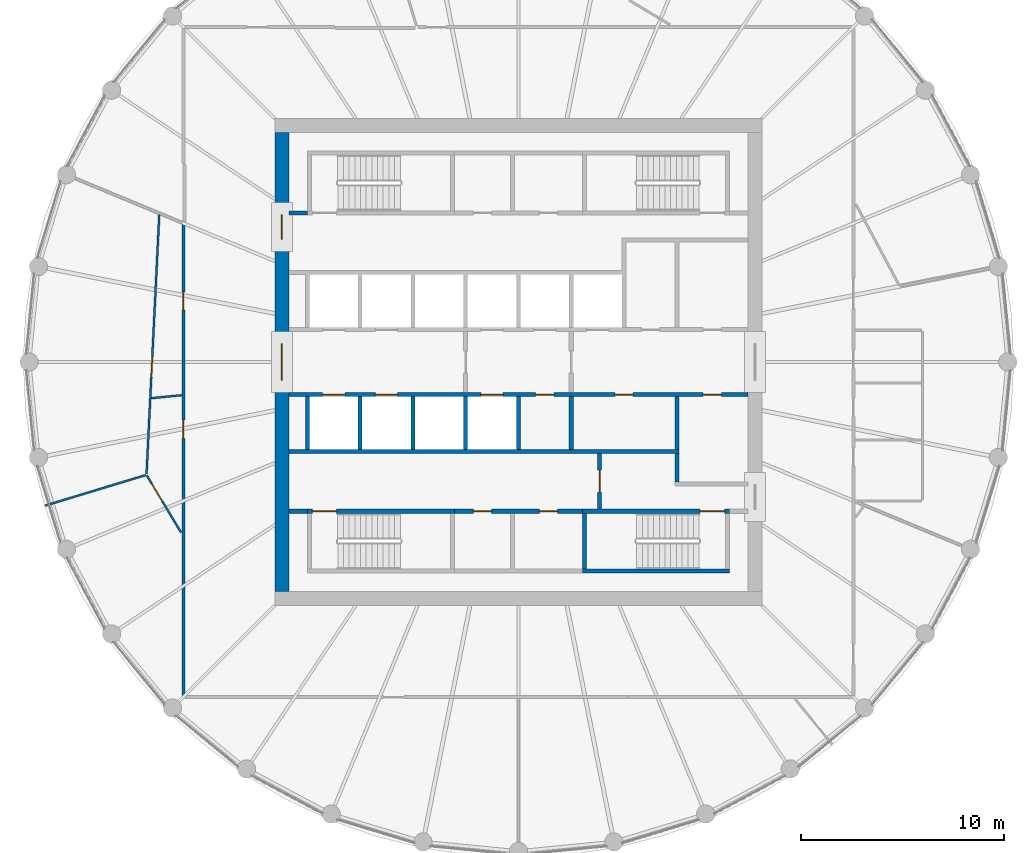
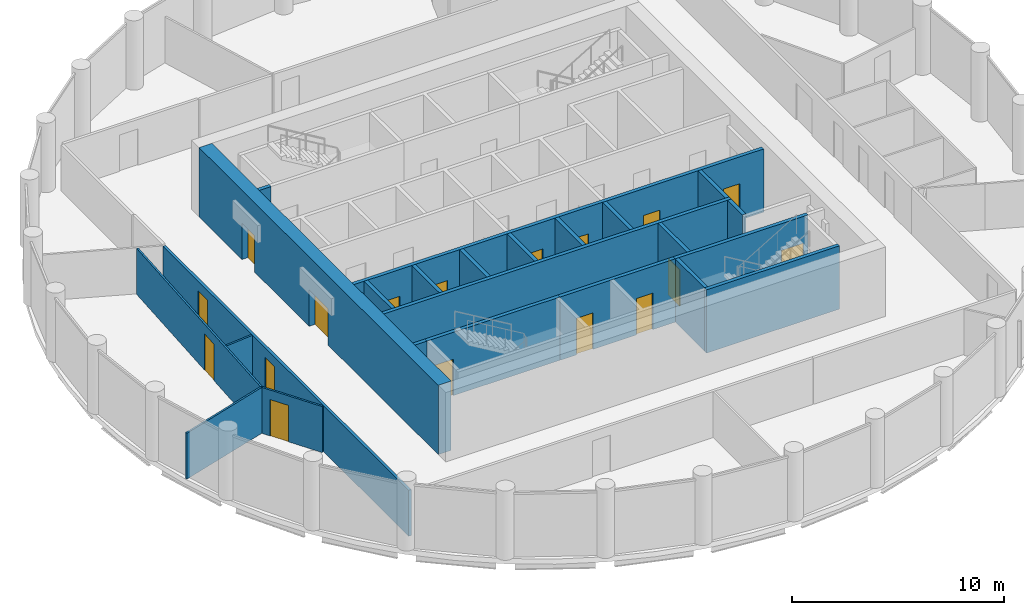
# One storey, part 4 of 7: 24 walls, 17 doors, 17 openings.
"""IFC4 building model written with IfcOpenShell, lengths in metres."""

from ifc_helpers import new_model, si_unit, direction, frame, frame_2d, origin, place, context, subcontext, project, spatial, polyline, rectangle, outline, extrude, material, layer, layer_set, type_object, element, fill, save


model = new_model("IFC4")

# Units and contexts
model_context = context("Model", 3, precision=1e-05, world=origin(), true_north=direction((0.0, 1.0)))
body_context = subcontext(model_context, "Body", "Model", "MODEL_VIEW")
ifc_project = project(units=[si_unit("LENGTHUNIT", "METRE"), si_unit("AREAUNIT", "SQUARE_METRE"), si_unit("VOLUMEUNIT", "CUBIC_METRE"), si_unit("PLANEANGLEUNIT", "RADIAN"), si_unit("MASSUNIT", "GRAM", prefix="KILO")], contexts=[model_context])

# Site, building, storey
site_placement = place(None, origin())
site = spatial("IfcSite", under=ifc_project, at=site_placement, CompositionType="ELEMENT")
building_placement = place(site_placement, origin())
building = spatial("IfcBuilding", under=site, at=building_placement, Name="Corvane Civic Tower", CompositionType="ELEMENT")
storey_placement = place(building_placement, frame((0.0, 0.0, 315.0)))
storey = spatial("IfcBuildingStorey", under=building, at=storey_placement, Name="L75", CompositionType="ELEMENT", Elevation=315.0)

# Wall, openings, doors
ifc_material_1 = material(Name="Concrete C40/50", Category="concrete")
ifc_layer_1 = layer(ifc_material_1, 0.699951171875)
ifc_layer_set_1 = layer_set([ifc_layer_1], Name="Concrete C40/50")
wall_type_1 = type_object("IfcWallType", Name="CORE WALL 700 C40/50", PredefinedType="SHEAR", material=ifc_layer_set_1)
wall_1_placement = place(storey_placement, frame((-11.64990234375, -11.300048828125, 0.0), z_axis=(0.0, 0.0, 1.0), x_axis=(0.0, 1.0, 0.0)))
wall_1 = element("IfcWall", 1, at=wall_1_placement, inside=storey, type_object=wall_type_1, Name="W-L75-core-W", PredefinedType="SHEAR", context=body_context, shape_type="SweptSolid", body=[
    extrude(rectangle(XDim=22.60009765625, YDim=0.699951171875, at=frame_2d((11.300048828125, 0.0))), origin(), (0.0, 0.0, 1.0), 4.0),
])
opening_1_placement = place(wall_1_placement, frame((10.39990234375, 0.0, 0.0)))
opening_1 = element("IfcOpeningElement", 2, at=opening_1_placement, cuts=wall_1, Name="Opening L75.C17", PredefinedType="OPENING", context=body_context, shape_type="SweptSolid", body=[
    extrude(rectangle(XDim=1.800048828125, YDim=2.10009765625, at=frame_2d((0.89990234375, 1.050048828125))), frame((0.0, 0.35986328125, 0.0), z_axis=(0.0, -1.0, 0.0), x_axis=(1.0, 0.0, 0.0)), (0.0, 0.0, 1.0), 0.719970703125),
])
opening_2_placement = place(wall_1_placement, frame((17.35009765625, 0.0, 0.0)))
opening_2 = element("IfcOpeningElement", 3, at=opening_2_placement, cuts=wall_1, Name="Opening L75.C19", PredefinedType="OPENING", context=body_context, shape_type="SweptSolid", body=[
    extrude(rectangle(XDim=1.199951171875, YDim=2.10009765625, at=frame_2d((0.60009765625, 1.050048828125))), frame((0.0, 0.35986328125, 0.0), z_axis=(0.0, -1.0, 0.0), x_axis=(1.0, 0.0, 0.0)), (0.0, 0.0, 1.0), 0.719970703125),
])
ifc_material_2 = material(Name="Steel fire door leaf", Category="steel")
door_type_1 = type_object("IfcDoorType", Name="CR-DOOR-CORE-1800", OperationType="DOUBLE_DOOR_SINGLE_SWING", PredefinedType="DOOR", material=ifc_material_2)
door_1_placement = place(opening_1_placement, origin())
door_1 = element("IfcDoor", 4, at=door_1_placement, inside=storey, type_object=door_type_1, Name="L75 door", OperationType="DOUBLE_DOOR_SINGLE_SWING", OverallHeight=2.10009765625, OverallWidth=1.800048828125, PredefinedType="DOOR", context=body_context, shape_type="SweptSolid", body=[
    extrude(rectangle(XDim=1.800048828125, YDim=2.10009765625, at=frame_2d((0.89990234375, 1.050048828125))), frame((0.0, 0.02490234375, 0.0), z_axis=(0.0, -1.0, 0.0), x_axis=(1.0, 0.0, 0.0)), (0.0, 0.0, 1.0), 0.050048828125),
])
fill(opening_1, door_1)
door_2_placement = place(opening_2_placement, origin())
door_2 = element("IfcDoor", 5, at=door_2_placement, inside=storey, type_object=door_type_1, Name="L75 door", OperationType="DOUBLE_DOOR_SINGLE_SWING", OverallHeight=2.10009765625, OverallWidth=1.199951171875, PredefinedType="DOOR", context=body_context, shape_type="SweptSolid", body=[
    extrude(rectangle(XDim=1.199951171875, YDim=2.10009765625, at=frame_2d((0.60009765625, 1.050048828125))), frame((0.0, 0.02490234375, 0.0), z_axis=(0.0, -1.0, 0.0), x_axis=(1.0, 0.0, 0.0)), (0.0, 0.0, 1.0), 0.050048828125),
])
fill(opening_2, door_2)

ifc_material_3 = material(Name="Concrete C30/37", Category="concrete")
ifc_layer_2 = layer(ifc_material_3, 0.199951171875)
ifc_layer_set_2 = layer_set([ifc_layer_2], Name="Concrete C30/37")
wall_type_2 = type_object("IfcWallType", Name="CR-WALL-200", PredefinedType="PARTITIONING", material=ifc_layer_set_2)
wall_2_placement = place(storey_placement, frame((-3.14990234375, -7.35009765625, 0.0), z_axis=(0.0, 0.0, 1.0), x_axis=(1.0, 0.0, 0.0)))
wall_2 = element("IfcWall", 6, at=wall_2_placement, inside=storey, type_object=wall_type_2, Name="L75 core partition wall", PredefinedType="PARTITIONING", context=body_context, shape_type="SweptSolid", body=[
    extrude(rectangle(XDim=6.2998046875, YDim=0.199951171875, at=frame_2d((3.14990234375, 0.0))), origin(), (0.0, 0.0, 1.0), 3.64990234375),
])
opening_3_placement = place(wall_2_placement, frame((0.925048828125, 0.0, 0.0)))
opening_3 = element("IfcOpeningElement", 7, at=opening_3_placement, cuts=wall_2, Name="Opening L75.C08", PredefinedType="OPENING", context=body_context, shape_type="SweptSolid", body=[
    extrude(rectangle(XDim=0.89990234375, YDim=2.10009765625, at=frame_2d((0.449951171875, 1.050048828125))), frame((0.0, 0.10986328125, 0.0), z_axis=(0.0, -1.0, 0.0), x_axis=(1.0, 0.0, 0.0)), (0.0, 0.0, 1.0), 0.219970703125),
])
opening_4_placement = place(wall_2_placement, frame((4.175048828125, 0.0, 0.0)))
opening_4 = element("IfcOpeningElement", 8, at=opening_4_placement, cuts=wall_2, Name="Opening L75.C09", PredefinedType="OPENING", context=body_context, shape_type="SweptSolid", body=[
    extrude(rectangle(XDim=0.89990234375, YDim=2.10009765625, at=frame_2d((0.449951171875, 1.050048828125))), frame((0.0, 0.10986328125, 0.0), z_axis=(0.0, -1.0, 0.0), x_axis=(1.0, 0.0, 0.0)), (0.0, 0.0, 1.0), 0.219970703125),
])
ifc_material_4 = material(Name="Steel fire door leaf", Category="steel")
door_type_2 = type_object("IfcDoorType", Name="CR-DOOR-900", OperationType="SINGLE_SWING_LEFT", PredefinedType="DOOR", material=ifc_material_4)
door_3_placement = place(opening_3_placement, origin())
door_3 = element("IfcDoor", 9, at=door_3_placement, inside=storey, type_object=door_type_2, Name="L75 door", OperationType="SINGLE_SWING_LEFT", OverallHeight=2.10009765625, OverallWidth=0.89990234375, PredefinedType="DOOR", context=body_context, shape_type="SweptSolid", body=[
    extrude(rectangle(XDim=0.89990234375, YDim=2.10009765625, at=frame_2d((0.449951171875, 1.050048828125))), frame((0.0, 0.02490234375, 0.0), z_axis=(0.0, -1.0, 0.0), x_axis=(1.0, 0.0, 0.0)), (0.0, 0.0, 1.0), 0.050048828125),
])
fill(opening_3, door_3)
door_4_placement = place(opening_4_placement, origin())
door_4 = element("IfcDoor", 10, at=door_4_placement, inside=storey, type_object=door_type_2, Name="L75 door", OperationType="SINGLE_SWING_LEFT", OverallHeight=2.10009765625, OverallWidth=0.89990234375, PredefinedType="DOOR", context=body_context, shape_type="SweptSolid", body=[
    extrude(rectangle(XDim=0.89990234375, YDim=2.10009765625, at=frame_2d((0.449951171875, 1.050048828125))), frame((0.0, 0.02490234375, 0.0), z_axis=(0.0, -1.0, 0.0), x_axis=(1.0, 0.0, 0.0)), (0.0, 0.0, 1.0), 0.050048828125),
])
fill(opening_4, door_4)

wall_3_placement = place(storey_placement, frame((-11.300048828125, -1.60009765625, 0.0), z_axis=(0.0, 0.0, 1.0), x_axis=(1.0, 0.0, 0.0)))
wall_3 = element("IfcWall", 11, at=wall_3_placement, inside=storey, type_object=wall_type_2, Name="L75 lift shaft wall", PredefinedType="PARTITIONING", context=body_context, shape_type="SweptSolid", body=[
    extrude(rectangle(XDim=22.60009765625, YDim=0.199951171875, at=frame_2d((11.300048828125, 0.0))), origin(), (0.0, 0.0, 1.0), 3.64990234375),
])
opening_5_placement = place(wall_3_placement, frame((1.64990234375, 0.0, 0.0)))
opening_5 = element("IfcOpeningElement", 12, at=opening_5_placement, cuts=wall_3, Name="Opening LD", PredefinedType="OPENING", context=body_context, shape_type="SweptSolid", body=[
    extrude(rectangle(XDim=1.10009765625, YDim=2.10009765625, at=frame_2d((0.550048828125, 1.050048828125))), frame((0.0, 0.10986328125, 0.0), z_axis=(0.0, -1.0, 0.0), x_axis=(1.0, 0.0, 0.0)), (0.0, 0.0, 1.0), 0.219970703125),
])
opening_6_placement = place(wall_3_placement, frame((4.25, 0.0, 0.0)))
opening_6 = element("IfcOpeningElement", 13, at=opening_6_placement, cuts=wall_3, Name="Opening LD", PredefinedType="OPENING", context=body_context, shape_type="SweptSolid", body=[
    extrude(rectangle(XDim=1.10009765625, YDim=2.10009765625, at=frame_2d((0.550048828125, 1.050048828125))), frame((0.0, 0.10986328125, 0.0), z_axis=(0.0, -1.0, 0.0), x_axis=(1.0, 0.0, 0.0)), (0.0, 0.0, 1.0), 0.219970703125),
])
opening_7_placement = place(wall_3_placement, frame((9.449951171875, 0.0, 0.0)))
opening_7 = element("IfcOpeningElement", 14, at=opening_7_placement, cuts=wall_3, Name="Opening LD", PredefinedType="OPENING", context=body_context, shape_type="SweptSolid", body=[
    extrude(rectangle(XDim=1.10009765625, YDim=2.10009765625, at=frame_2d((0.550048828125, 1.050048828125))), frame((0.0, 0.10986328125, 0.0), z_axis=(0.0, -1.0, 0.0), x_axis=(1.0, 0.0, 0.0)), (0.0, 0.0, 1.0), 0.219970703125),
])
opening_8_placement = place(wall_3_placement, frame((12.14990234375, 0.0, 0.0)))
opening_8 = element("IfcOpeningElement", 15, at=opening_8_placement, cuts=wall_3, Name="Opening L75.C03", PredefinedType="OPENING", context=body_context, shape_type="SweptSolid", body=[
    extrude(rectangle(XDim=0.89990234375, YDim=2.10009765625, at=frame_2d((0.449951171875, 1.050048828125))), frame((0.0, 0.10986328125, 0.0), z_axis=(0.0, -1.0, 0.0), x_axis=(1.0, 0.0, 0.0)), (0.0, 0.0, 1.0), 0.219970703125),
])
opening_9_placement = place(wall_3_placement, frame((16.050048828125, 0.0, 0.0)))
opening_9 = element("IfcOpeningElement", 16, at=opening_9_placement, cuts=wall_3, Name="Opening L75.C04", PredefinedType="OPENING", context=body_context, shape_type="SweptSolid", body=[
    extrude(rectangle(XDim=0.89990234375, YDim=2.10009765625, at=frame_2d((0.449951171875, 1.050048828125))), frame((0.0, 0.10986328125, 0.0), z_axis=(0.0, -1.0, 0.0), x_axis=(1.0, 0.0, 0.0)), (0.0, 0.0, 1.0), 0.219970703125),
])
opening_10_placement = place(wall_3_placement, frame((20.39990234375, 0.0, 0.0)))
opening_10 = element("IfcOpeningElement", 17, at=opening_10_placement, cuts=wall_3, Name="Opening L75.C05", PredefinedType="OPENING", context=body_context, shape_type="SweptSolid", body=[
    extrude(rectangle(XDim=0.89990234375, YDim=2.10009765625, at=frame_2d((0.449951171875, 1.050048828125))), frame((0.0, 0.10986328125, 0.0), z_axis=(0.0, -1.0, 0.0), x_axis=(1.0, 0.0, 0.0)), (0.0, 0.0, 1.0), 0.219970703125),
])
door_5_placement = place(opening_8_placement, origin())
door_5 = element("IfcDoor", 18, at=door_5_placement, inside=storey, type_object=door_type_2, Name="L75 door", OperationType="SINGLE_SWING_LEFT", OverallHeight=2.10009765625, OverallWidth=0.89990234375, PredefinedType="DOOR", context=body_context, shape_type="SweptSolid", body=[
    extrude(rectangle(XDim=0.89990234375, YDim=2.10009765625, at=frame_2d((0.449951171875, 1.050048828125))), frame((0.0, 0.02490234375, 0.0), z_axis=(0.0, -1.0, 0.0), x_axis=(1.0, 0.0, 0.0)), (0.0, 0.0, 1.0), 0.050048828125),
])
fill(opening_8, door_5)
door_6_placement = place(opening_9_placement, origin())
door_6 = element("IfcDoor", 19, at=door_6_placement, inside=storey, type_object=door_type_2, Name="L75 door", OperationType="SINGLE_SWING_LEFT", OverallHeight=2.10009765625, OverallWidth=0.89990234375, PredefinedType="DOOR", context=body_context, shape_type="SweptSolid", body=[
    extrude(rectangle(XDim=0.89990234375, YDim=2.10009765625, at=frame_2d((0.449951171875, 1.050048828125))), frame((0.0, 0.02490234375, 0.0), z_axis=(0.0, -1.0, 0.0), x_axis=(1.0, 0.0, 0.0)), (0.0, 0.0, 1.0), 0.050048828125),
])
fill(opening_9, door_6)
door_7_placement = place(opening_10_placement, origin())
door_7 = element("IfcDoor", 20, at=door_7_placement, inside=storey, type_object=door_type_2, Name="L75 door", OperationType="SINGLE_SWING_LEFT", OverallHeight=2.10009765625, OverallWidth=0.89990234375, PredefinedType="DOOR", context=body_context, shape_type="SweptSolid", body=[
    extrude(rectangle(XDim=0.89990234375, YDim=2.10009765625, at=frame_2d((0.449951171875, 1.050048828125))), frame((0.0, 0.02490234375, 0.0), z_axis=(0.0, -1.0, 0.0), x_axis=(1.0, 0.0, 0.0)), (0.0, 0.0, 1.0), 0.050048828125),
])
fill(opening_10, door_7)
ifc_material_5 = material(Name="Stainless steel 316 door leaves", Category="steel")
door_type_3 = type_object("IfcDoorType", Name="LD", OperationType="DOUBLE_DOOR_SLIDING", PredefinedType="DOOR", material=ifc_material_5)
door_8_placement = place(opening_5_placement, origin())
door_8 = element("IfcDoor", 21, at=door_8_placement, inside=storey, type_object=door_type_3, Name="L75 landing door", OperationType="DOUBLE_DOOR_SLIDING", OverallHeight=2.10009765625, OverallWidth=1.10009765625, PredefinedType="DOOR", context=body_context, shape_type="SweptSolid", body=[
    extrude(rectangle(XDim=1.10009765625, YDim=2.10009765625, at=frame_2d((0.550048828125, 1.050048828125))), frame((0.0, 0.02490234375, 0.0), z_axis=(0.0, -1.0, 0.0), x_axis=(1.0, 0.0, 0.0)), (0.0, 0.0, 1.0), 0.050048828125),
])
fill(opening_5, door_8)
door_9_placement = place(opening_6_placement, origin())
door_9 = element("IfcDoor", 22, at=door_9_placement, inside=storey, type_object=door_type_3, Name="L75 landing door", OperationType="DOUBLE_DOOR_SLIDING", OverallHeight=2.10009765625, OverallWidth=1.10009765625, PredefinedType="DOOR", context=body_context, shape_type="SweptSolid", body=[
    extrude(rectangle(XDim=1.10009765625, YDim=2.10009765625, at=frame_2d((0.550048828125, 1.050048828125))), frame((0.0, 0.02490234375, 0.0), z_axis=(0.0, -1.0, 0.0), x_axis=(1.0, 0.0, 0.0)), (0.0, 0.0, 1.0), 0.050048828125),
])
fill(opening_6, door_9)
door_10_placement = place(opening_7_placement, origin())
door_10 = element("IfcDoor", 23, at=door_10_placement, inside=storey, type_object=door_type_3, Name="L75 landing door", OperationType="DOUBLE_DOOR_SLIDING", OverallHeight=2.10009765625, OverallWidth=1.10009765625, PredefinedType="DOOR", context=body_context, shape_type="SweptSolid", body=[
    extrude(rectangle(XDim=1.10009765625, YDim=2.10009765625, at=frame_2d((0.550048828125, 1.050048828125))), frame((0.0, 0.02490234375, 0.0), z_axis=(0.0, -1.0, 0.0), x_axis=(1.0, 0.0, 0.0)), (0.0, 0.0, 1.0), 0.050048828125),
])
fill(opening_7, door_10)

# Wall, opening, door
wall_4_placement = place(storey_placement, frame((4.0, -7.25, 0.0), z_axis=(0.0, 0.0, 1.0), x_axis=(0.0, 1.0, 0.0)))
wall_4 = element("IfcWall", 24, at=wall_4_placement, inside=storey, type_object=wall_type_2, Name="L75 core partition wall", PredefinedType="PARTITIONING", context=body_context, shape_type="SweptSolid", body=[
    extrude(rectangle(XDim=2.75, YDim=0.199951171875, at=frame_2d((1.375, 0.0))), origin(), (0.0, 0.0, 1.0), 3.64990234375),
])
opening_11_placement = place(wall_4_placement, frame((0.824951171875, 0.0, 0.0)))
opening_11 = element("IfcOpeningElement", 25, at=opening_11_placement, cuts=wall_4, Name="Opening L75.C16", PredefinedType="OPENING", context=body_context, shape_type="SweptSolid", body=[
    extrude(rectangle(XDim=1.10009765625, YDim=2.10009765625, at=frame_2d((0.550048828125, 1.050048828125))), frame((0.0, 0.10986328125, 0.0), z_axis=(0.0, -1.0, 0.0), x_axis=(1.0, 0.0, 0.0)), (0.0, 0.0, 1.0), 0.219970703125),
])
ifc_material_6 = material(Name="Steel fire door leaf", Category="steel")
door_type_4 = type_object("IfcDoorType", Name="CR-DOOR-FFL-1100", OperationType="SINGLE_SWING_LEFT", PredefinedType="DOOR", material=ifc_material_6)
door_11_placement = place(opening_11_placement, origin())
door_11 = element("IfcDoor", 26, at=door_11_placement, inside=storey, type_object=door_type_4, Name="L75 lobby door", OperationType="SINGLE_SWING_LEFT", OverallHeight=2.10009765625, OverallWidth=1.10009765625, PredefinedType="DOOR", context=body_context, shape_type="SweptSolid", body=[
    extrude(rectangle(XDim=1.10009765625, YDim=2.10009765625, at=frame_2d((0.550048828125, 1.050048828125))), frame((0.0, 0.02490234375, 0.0), z_axis=(0.0, -1.0, 0.0), x_axis=(1.0, 0.0, 0.0)), (0.0, 0.0, 1.0), 0.050048828125),
])
fill(opening_11, door_11)

# Walls
wall_5_placement = place(storey_placement, origin())
element("IfcWall", 27, at=wall_5_placement, inside=storey, type_object=wall_type_2, Name="L75 core partition wall", PredefinedType="PARTITIONING", context=body_context, shape_type="SweptSolid", body=[
    extrude(outline(polyline([(7.89990234375, -4.300048828125), (7.89990234375, -4.5), (-11.300048828125, -4.5), (-11.300048828125, -4.300048828125), (7.89990234375, -4.300048828125)])), origin(), (0.0, 0.0, 1.0), 3.64990234375),
])
wall_6_placement = place(storey_placement, origin())
element("IfcWall", 28, at=wall_6_placement, inside=storey, type_object=wall_type_2, Name="L75 core partition wall", PredefinedType="PARTITIONING", context=body_context, shape_type="SweptSolid", body=[
    extrude(outline(polyline([(-2.5, -1.699951171875), (-2.5, -4.2998046875), (-2.699951171875, -4.2998046875), (-2.699951171875, -1.699951171875), (-2.5, -1.699951171875)])), origin(), (0.0, 0.0, 1.0), 3.64990234375),
])
wall_7_placement = place(storey_placement, origin())
element("IfcWall", 29, at=wall_7_placement, inside=storey, type_object=wall_type_2, Name="L75 core partition wall", PredefinedType="PARTITIONING", context=body_context, shape_type="SweptSolid", body=[
    extrude(outline(polyline([(2.699951171875, -1.699951171875), (2.699951171875, -4.2998046875), (2.5, -4.2998046875), (2.5, -1.699951171875), (2.699951171875, -1.699951171875)])), origin(), (0.0, 0.0, 1.0), 3.64990234375),
])
wall_8_placement = place(storey_placement, origin())
element("IfcWall", 30, at=wall_8_placement, inside=storey, type_object=wall_type_2, Name="L75 core partition wall", PredefinedType="PARTITIONING", context=body_context, shape_type="SweptSolid", body=[
    extrude(outline(polyline([(0.10009765625, -1.699951171875), (0.10009765625, -4.2998046875), (-0.10009765625, -4.2998046875), (-0.10009765625, -1.699951171875), (0.10009765625, -1.699951171875)])), origin(), (0.0, 0.0, 1.0), 3.64990234375),
])
wall_9_placement = place(storey_placement, origin())
element("IfcWall", 31, at=wall_9_placement, inside=storey, type_object=wall_type_2, Name="L75 core partition wall", PredefinedType="PARTITIONING", context=body_context, shape_type="SweptSolid", body=[
    extrude(outline(polyline([(-10.300048828125, -1.699951171875), (-10.300048828125, -4.2998046875), (-10.5, -4.2998046875), (-10.5, -1.699951171875), (-10.300048828125, -1.699951171875)])), origin(), (0.0, 0.0, 1.0), 3.64990234375),
])
wall_10_placement = place(storey_placement, origin())
element("IfcWall", 32, at=wall_10_placement, inside=storey, type_object=wall_type_2, Name="L75 core partition wall", PredefinedType="PARTITIONING", context=body_context, shape_type="SweptSolid", body=[
    extrude(outline(polyline([(-7.699951171875, -1.699951171875), (-7.699951171875, -4.2998046875), (-7.89990234375, -4.2998046875), (-7.89990234375, -1.699951171875), (-7.699951171875, -1.699951171875)])), origin(), (0.0, 0.0, 1.0), 3.64990234375),
])
wall_11_placement = place(storey_placement, origin())
element("IfcWall", 33, at=wall_11_placement, inside=storey, type_object=wall_type_2, Name="L75 core partition wall", PredefinedType="PARTITIONING", context=body_context, shape_type="SweptSolid", body=[
    extrude(outline(polyline([(-5.10009765625, -1.699951171875), (-5.10009765625, -4.2998046875), (-5.300048828125, -4.2998046875), (-5.300048828125, -1.699951171875), (-5.10009765625, -1.699951171875)])), origin(), (0.0, 0.0, 1.0), 3.64990234375),
])
wall_12_placement = place(storey_placement, origin())
element("IfcWall", 34, at=wall_12_placement, inside=storey, type_object=wall_type_2, Name="L75 core partition wall", PredefinedType="PARTITIONING", context=body_context, shape_type="SweptSolid", body=[
    extrude(outline(polyline([(7.89990234375, -1.699951171875), (7.89990234375, -4.2998046875), (7.699951171875, -4.2998046875), (7.699951171875, -1.699951171875), (7.89990234375, -1.699951171875)])), origin(), (0.0, 0.0, 1.0), 3.64990234375),
])
wall_13_placement = place(storey_placement, origin())
element("IfcWall", 35, at=wall_13_placement, inside=storey, type_object=wall_type_2, Name="L75 core partition wall", PredefinedType="PARTITIONING", context=body_context, shape_type="SweptSolid", body=[
    extrude(outline(polyline([(7.89990234375, -5.89990234375), (7.699951171875, -5.89990234375), (7.699951171875, -4.5), (7.89990234375, -4.5), (7.89990234375, -5.89990234375)])), origin(), (0.0, 0.0, 1.0), 3.64990234375),
])
wall_14_placement = place(storey_placement, origin())
element("IfcWall", 36, at=wall_14_placement, inside=storey, type_object=wall_type_2, Name="L75 core partition wall", PredefinedType="PARTITIONING", context=body_context, shape_type="SweptSolid", body=[
    extrude(outline(polyline([(-10.39990234375, -7.449951171875), (-11.300048828125, -7.449951171875), (-11.300048828125, -7.25), (-10.39990234375, -7.25), (-10.39990234375, -7.449951171875)])), origin(), (0.0, 0.0, 1.0), 3.64990234375),
])
wall_15_placement = place(storey_placement, origin())
element("IfcWall", 37, at=wall_15_placement, inside=storey, type_object=wall_type_2, Name="L75 core partition wall", PredefinedType="PARTITIONING", context=body_context, shape_type="SweptSolid", body=[
    extrude(outline(polyline([(-10.39990234375, 7.25), (-11.300048828125, 7.25), (-11.300048828125, 7.449951171875), (-10.39990234375, 7.449951171875), (-10.39990234375, 7.25)])), origin(), (0.0, 0.0, 1.0), 3.64990234375),
])

# Wall, opening, door
ifc_material_7 = material(Name="Plasterboard")
ifc_layer_3 = layer(ifc_material_7, 0.10009765625)
ifc_layer_set_3 = layer_set([ifc_layer_3], Name="Plasterboard")
wall_type_3 = type_object("IfcWallType", Name="Partition 100 plasterboard on studs", PredefinedType="PARTITIONING", material=ifc_layer_set_3)
wall_16_placement = place(storey_placement, frame((-18.299560546875, -5.5908203125, 0.0), z_axis=(0.0, 0.0, 1.0), x_axis=(0.514100563047, -0.857729917325, 0.0)))
wall_16 = element("IfcWall", 38, at=wall_16_placement, inside=storey, type_object=wall_type_3, Name="Partition L75.008", PredefinedType="PARTITIONING", context=body_context, shape_type="SweptSolid", body=[
    extrude(rectangle(XDim=3.27099609375, YDim=0.10009765625, at=frame_2d((1.635498046875, 0.0))), origin(), (0.0, 0.0, 1.0), 2.64990234375),
])
opening_12_placement = place(wall_16_placement, frame((0.454833984375, 0.0, 0.0)))
opening_12 = element("IfcOpeningElement", 39, at=opening_12_placement, cuts=wall_16, Name="Opening L75.004", PredefinedType="OPENING", context=body_context, shape_type="SweptSolid", body=[
    extrude(rectangle(XDim=1.0, YDim=2.10009765625, at=frame_2d((0.5, 1.050048828125))), frame((0.0, 0.06005859375, 0.0), z_axis=(0.0, -1.0, 0.0), x_axis=(1.0, 0.0, 0.0)), (0.0, 0.0, 1.0), 0.1201171875),
])
ifc_material_8 = material(Name="Timber", Category="wood")
door_type_5 = type_object("IfcDoorType", Name="Single door 1000", OperationType="NOTDEFINED", PredefinedType="DOOR", material=ifc_material_8)
door_12_placement = place(opening_12_placement, frame((1.0, 0.0, 0.0), z_axis=(0.0, 0.0, 1.0), x_axis=(-1.0, 0.0, 0.0)))
door_12 = element("IfcDoor", 40, at=door_12_placement, inside=storey, type_object=door_type_5, Name="Door L75.004", OperationType="SINGLE_SWING_LEFT", OverallHeight=2.10009765625, OverallWidth=1.0, PredefinedType="DOOR", context=body_context, shape_type="SweptSolid", body=[
    extrude(rectangle(XDim=1.0, YDim=2.10009765625, at=frame_2d((0.5, 1.050048828125))), frame((0.0, 0.02490234375, 0.0), z_axis=(0.0, -1.0, 0.0), x_axis=(1.0, 0.0, 0.0)), (0.0, 0.0, 1.0), 0.050048828125),
])
fill(opening_12, door_12)

# Wall
wall_17_placement = place(storey_placement, frame((-23.3017578125, -7.068603515625, 0.0), z_axis=(0.0, 0.0, 1.0), x_axis=(0.956940122193, 0.290285381197, 0.0)))
element("IfcWall", 41, at=wall_17_placement, inside=storey, type_object=wall_type_3, Name="Partition L75.010", PredefinedType="PARTITIONING", context=body_context, shape_type="SweptSolid", body=[
    extrude(rectangle(XDim=5.167236328125, YDim=0.10009765625, at=frame_2d((2.58349609375, 0.0))), origin(), (0.0, 0.0, 1.0), 2.64990234375),
])

# Wall, opening, door
wall_18_placement = place(storey_placement, frame((-18.31787109375, -5.52197265625, 0.0), z_axis=(0.0, 0.0, 1.0), x_axis=(0.049066652278, 0.998795506415, 0.0)))
wall_18 = element("IfcWall", 42, at=wall_18_placement, inside=storey, type_object=wall_type_3, Name="Partition L75.014", PredefinedType="PARTITIONING", context=body_context, shape_type="SweptSolid", body=[
    extrude(rectangle(XDim=12.79248046875, YDim=0.10009765625, at=frame_2d((6.396240234375, 0.0))), origin(), (0.0, 0.0, 1.0), 2.64990234375),
])
opening_13_placement = place(wall_18_placement, frame((4.78515625, 0.0, 0.0)))
opening_13 = element("IfcOpeningElement", 43, at=opening_13_placement, cuts=wall_18, Name="Opening L75.005", PredefinedType="OPENING", context=body_context, shape_type="SweptSolid", body=[
    extrude(rectangle(XDim=1.0, YDim=2.10009765625, at=frame_2d((0.5, 1.050048828125))), frame((0.0, 0.06005859375, 0.0), z_axis=(0.0, -1.0, 0.0), x_axis=(1.0, 0.0, 0.0)), (0.0, 0.0, 1.0), 0.1201171875),
])
door_13_placement = place(opening_13_placement, origin())
door_13 = element("IfcDoor", 44, at=door_13_placement, inside=storey, type_object=door_type_5, Name="Door L75.005", OperationType="SINGLE_SWING_RIGHT", OverallHeight=2.10009765625, OverallWidth=1.0, PredefinedType="DOOR", context=body_context, shape_type="SweptSolid", body=[
    extrude(rectangle(XDim=1.0, YDim=2.10009765625, at=frame_2d((0.5, 1.050048828125))), frame((0.0, 0.02490234375, 0.0), z_axis=(0.0, -1.0, 0.0), x_axis=(1.0, 0.0, 0.0)), (0.0, 0.0, 1.0), 0.050048828125),
])
fill(opening_13, door_13)

# Wall
wall_19_placement = place(storey_placement, frame((-18.07666015625, -1.780517578125, 0.0), z_axis=(0.0, 0.0, 1.0), x_axis=(0.995182363929, 0.098041126702, 0.0)))
element("IfcWall", 45, at=wall_19_placement, inside=storey, type_object=wall_type_3, Name="Partition L75.016", PredefinedType="PARTITIONING", context=body_context, shape_type="SweptSolid", body=[
    extrude(rectangle(XDim=1.504150390625, YDim=0.10009765625, at=frame_2d((0.751953125, 0.0))), origin(), (0.0, 0.0, 1.0), 2.64990234375),
])

# Wall, opening, door
ifc_material_9 = material(Name="Concrete C50/60", Category="concrete")
ifc_layer_4 = layer(ifc_material_9, 0.199951171875)
ifc_layer_set_4 = layer_set([ifc_layer_4], Name="Concrete C50/60")
wall_type_4 = type_object("IfcWallType", Name="ST-WALL-200", PredefinedType="SHEAR", material=ifc_layer_set_4)
wall_20_placement = place(storey_placement, frame((-10.39990234375, -7.35009765625, 0.0), z_axis=(0.0, 0.0, 1.0), x_axis=(1.0, 0.0, 0.0)))
wall_20 = element("IfcWall", 46, at=wall_20_placement, inside=storey, type_object=wall_type_4, Name="L75 stair enclosure wall", PredefinedType="SHEAR", context=body_context, shape_type="SweptSolid", body=[
    extrude(rectangle(XDim=7.25, YDim=0.199951171875, at=frame_2d((3.625, 0.0))), origin(), (0.0, 0.0, 1.0), 3.64990234375),
])
opening_14_placement = place(wall_20_placement, frame((0.25, 0.0, 0.0)))
opening_14 = element("IfcOpeningElement", 47, at=opening_14_placement, cuts=wall_20, Name="Opening L75.C13", PredefinedType="OPENING", context=body_context, shape_type="SweptSolid", body=[
    extrude(rectangle(XDim=1.199951171875, YDim=2.10009765625, at=frame_2d((0.60009765625, 1.050048828125))), frame((0.0, 0.10986328125, 0.0), z_axis=(0.0, -1.0, 0.0), x_axis=(1.0, 0.0, 0.0)), (0.0, 0.0, 1.0), 0.219970703125),
])
ifc_material_10 = material(Name="Steel fire door leaf", Category="steel")
door_type_6 = type_object("IfcDoorType", Name="ST-DOOR-1200", OperationType="SINGLE_SWING_RIGHT", PredefinedType="DOOR", material=ifc_material_10)
door_14_placement = place(opening_14_placement, origin())
door_14 = element("IfcDoor", 48, at=door_14_placement, inside=storey, type_object=door_type_6, Name="L75 stair door", OperationType="SINGLE_SWING_RIGHT", OverallHeight=2.10009765625, OverallWidth=1.199951171875, PredefinedType="DOOR", context=body_context, shape_type="SweptSolid", body=[
    extrude(rectangle(XDim=1.199951171875, YDim=2.10009765625, at=frame_2d((0.60009765625, 1.050048828125))), frame((0.0, 0.02490234375, 0.0), z_axis=(0.0, -1.0, 0.0), x_axis=(1.0, 0.0, 0.0)), (0.0, 0.0, 1.0), 0.050048828125),
])
fill(opening_14, door_14)

wall_21_placement = place(storey_placement, frame((3.14990234375, -7.35009765625, 0.0), z_axis=(0.0, 0.0, 1.0), x_axis=(1.0, 0.0, 0.0)))
wall_21 = element("IfcWall", 49, at=wall_21_placement, inside=storey, type_object=wall_type_4, Name="L75 stair enclosure wall", PredefinedType="SHEAR", context=body_context, shape_type="SweptSolid", body=[
    extrude(rectangle(XDim=7.25, YDim=0.199951171875, at=frame_2d((3.625, 0.0))), origin(), (0.0, 0.0, 1.0), 3.64990234375),
])
opening_15_placement = place(wall_21_placement, frame((5.800048828125, 0.0, 0.0)))
opening_15 = element("IfcOpeningElement", 50, at=opening_15_placement, cuts=wall_21, Name="Opening L75.C12", PredefinedType="OPENING", context=body_context, shape_type="SweptSolid", body=[
    extrude(rectangle(XDim=1.199951171875, YDim=2.10009765625, at=frame_2d((0.60009765625, 1.050048828125))), frame((0.0, 0.10986328125, 0.0), z_axis=(0.0, -1.0, 0.0), x_axis=(1.0, 0.0, 0.0)), (0.0, 0.0, 1.0), 0.219970703125),
])
door_15_placement = place(opening_15_placement, origin())
door_15 = element("IfcDoor", 51, at=door_15_placement, inside=storey, type_object=door_type_6, Name="L75 stair door", OperationType="SINGLE_SWING_RIGHT", OverallHeight=2.10009765625, OverallWidth=1.199951171875, PredefinedType="DOOR", context=body_context, shape_type="SweptSolid", body=[
    extrude(rectangle(XDim=1.199951171875, YDim=2.10009765625, at=frame_2d((0.60009765625, 1.050048828125))), frame((0.0, 0.02490234375, 0.0), z_axis=(0.0, -1.0, 0.0), x_axis=(1.0, 0.0, 0.0)), (0.0, 0.0, 1.0), 0.050048828125),
])
fill(opening_15, door_15)

# Walls
wall_22_placement = place(storey_placement, origin())
element("IfcWall", 52, at=wall_22_placement, inside=storey, type_object=wall_type_4, Name="L75 stair enclosure wall", PredefinedType="SHEAR", context=body_context, shape_type="SweptSolid", body=[
    extrude(outline(polyline([(10.39990234375, -10.39990234375), (3.14990234375, -10.39990234375), (3.14990234375, -10.199951171875), (10.39990234375, -10.199951171875), (10.39990234375, -10.39990234375)])), origin(), (0.0, 0.0, 1.0), 3.64990234375),
])
wall_23_placement = place(storey_placement, origin())
element("IfcWall", 53, at=wall_23_placement, inside=storey, type_object=wall_type_4, Name="L75 stair enclosure wall", PredefinedType="SHEAR", context=body_context, shape_type="SweptSolid", body=[
    extrude(outline(polyline([(3.35009765625, -7.449951171875), (3.35009765625, -10.199951171875), (3.14990234375, -10.199951171875), (3.14990234375, -7.449951171875), (3.35009765625, -7.449951171875)])), origin(), (0.0, 0.0, 1.0), 3.64990234375),
])

# Wall, openings, doors
ifc_material_11 = material(Name="Plasterboard")
ifc_layer_5 = layer(ifc_material_11, 0.14990234375)
ifc_layer_set_5 = layer_set([ifc_layer_5], Name="Plasterboard")
wall_type_5 = type_object("IfcWallType", Name="Tenancy wall 150 EI 60", PredefinedType="PARTITIONING", material=ifc_layer_set_5)
wall_24_placement = place(storey_placement, frame((-16.5, -16.425048828125, 0.0), z_axis=(0.0, 0.0, 1.0), x_axis=(0.0, 1.0, 0.0)))
wall_24 = element("IfcWall", 54, at=wall_24_placement, inside=storey, type_object=wall_type_5, Name="Partition L75.005", PredefinedType="PARTITIONING", context=body_context, shape_type="SweptSolid", body=[
    extrude(rectangle(XDim=23.20947265625, YDim=0.14990234375, at=frame_2d((11.604736328125, 0.0))), origin(), (0.0, 0.0, 1.0), 2.64990234375),
])
opening_16_placement = place(wall_24_placement, frame((12.666015625, 0.0, 0.0)))
opening_16 = element("IfcOpeningElement", 55, at=opening_16_placement, cuts=wall_24, Name="Opening L75.006", PredefinedType="OPENING", context=body_context, shape_type="SweptSolid", body=[
    extrude(rectangle(XDim=0.89990234375, YDim=2.10009765625, at=frame_2d((0.449951171875, 1.050048828125))), frame((0.0, 0.0849609375, 0.0), z_axis=(0.0, -1.0, 0.0), x_axis=(1.0, 0.0, 0.0)), (0.0, 0.0, 1.0), 0.169921875),
])
opening_17_placement = place(wall_24_placement, frame((18.97802734375, 0.0, 0.0)))
opening_17 = element("IfcOpeningElement", 56, at=opening_17_placement, cuts=wall_24, Name="Opening L75.007", PredefinedType="OPENING", context=body_context, shape_type="SweptSolid", body=[
    extrude(rectangle(XDim=0.89990234375, YDim=2.10009765625, at=frame_2d((0.449951171875, 1.050048828125))), frame((0.0, 0.0849609375, 0.0), z_axis=(0.0, -1.0, 0.0), x_axis=(1.0, 0.0, 0.0)), (0.0, 0.0, 1.0), 0.169921875),
])
ifc_material_12 = material(Name="Steel and timber", Category="steel")
door_type_7 = type_object("IfcDoorType", Name="Fire door FD30S 900", OperationType="NOTDEFINED", PredefinedType="DOOR", material=ifc_material_12)
door_16_placement = place(opening_16_placement, origin())
door_16 = element("IfcDoor", 57, at=door_16_placement, inside=storey, type_object=door_type_7, Name="Door L75.006", OperationType="SINGLE_SWING_LEFT", OverallHeight=2.10009765625, OverallWidth=0.89990234375, PredefinedType="DOOR", context=body_context, shape_type="SweptSolid", body=[
    extrude(rectangle(XDim=0.89990234375, YDim=2.10009765625, at=frame_2d((0.449951171875, 1.050048828125))), frame((0.0, 0.02490234375, 0.0), z_axis=(0.0, -1.0, 0.0), x_axis=(1.0, 0.0, 0.0)), (0.0, 0.0, 1.0), 0.050048828125),
])
fill(opening_16, door_16)
door_17_placement = place(opening_17_placement, origin())
door_17 = element("IfcDoor", 58, at=door_17_placement, inside=storey, type_object=door_type_7, Name="Door L75.007", OperationType="SINGLE_SWING_LEFT", OverallHeight=2.10009765625, OverallWidth=0.89990234375, PredefinedType="DOOR", context=body_context, shape_type="SweptSolid", body=[
    extrude(rectangle(XDim=0.89990234375, YDim=2.10009765625, at=frame_2d((0.449951171875, 1.050048828125))), frame((0.0, 0.02490234375, 0.0), z_axis=(0.0, -1.0, 0.0), x_axis=(1.0, 0.0, 0.0)), (0.0, 0.0, 1.0), 0.050048828125),
])
fill(opening_17, door_17)

save(model, "model.ifc")
